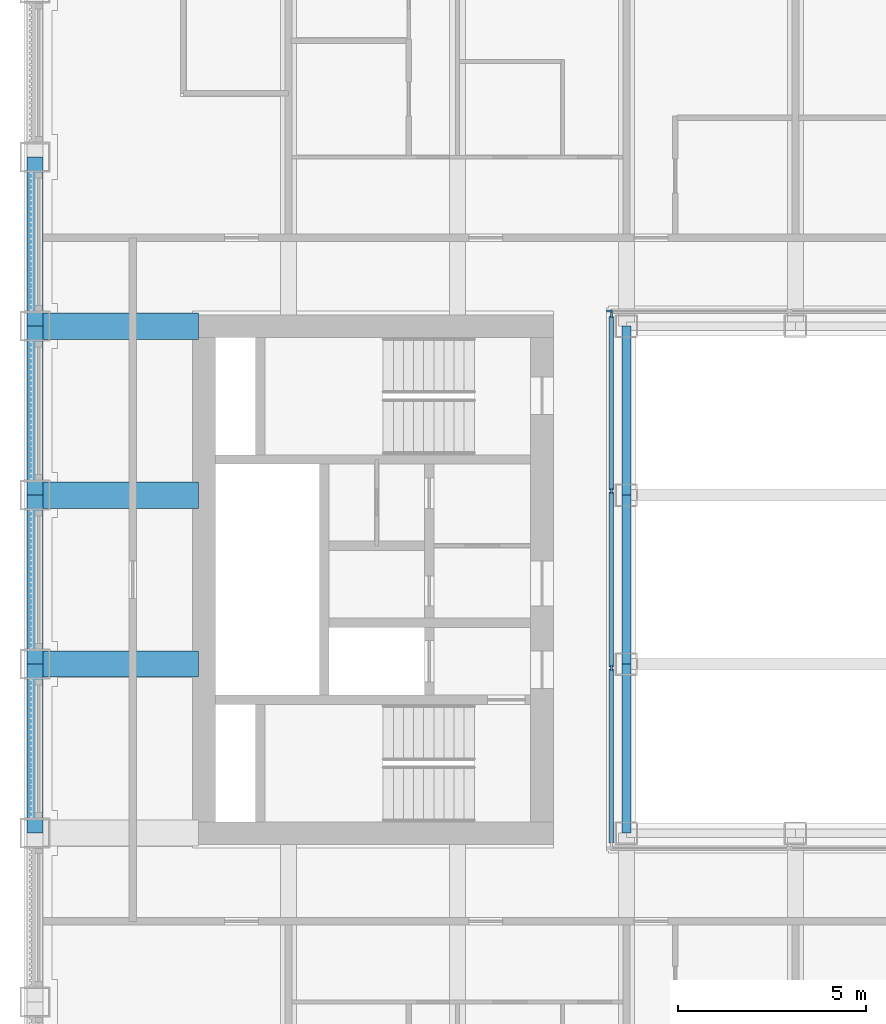
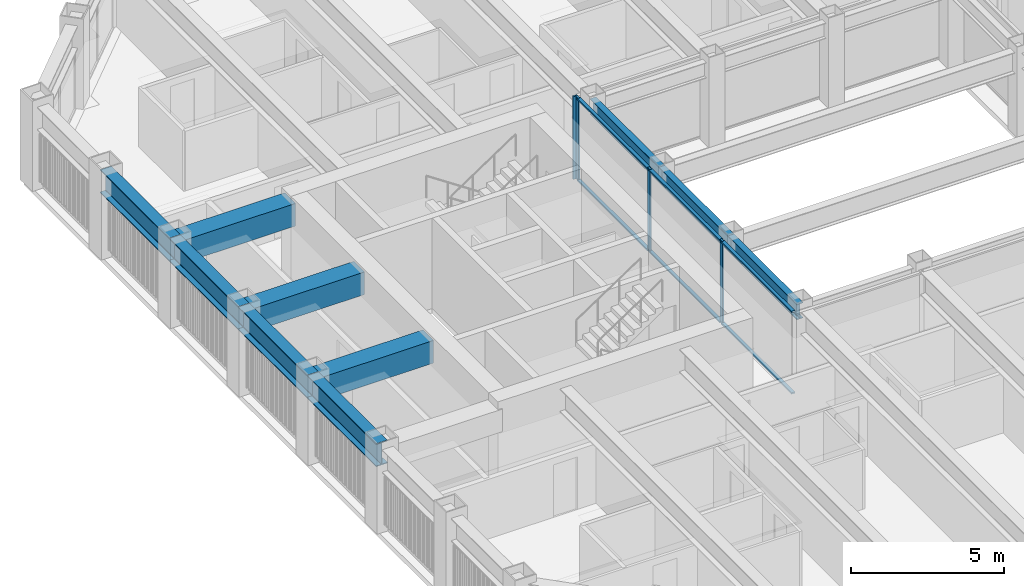
# One storey, part 4 of 18: 10 beams, 10 members, 2 elements without a shape of their own.
"""IFC4 building model written with IfcOpenShell, lengths in metres."""

from ifc_helpers import new_model, si_unit, direction, frame, origin, origin_2d, place, context, subcontext, project, spatial, rectangle, hollow_rectangle, i_section, extrude, material, material_profile, profile_set, type_object, element, aggregate, save


model = new_model("IFC4")

# Units and contexts
model_context = context("Model", 3, precision=1e-05, world=origin(), true_north=direction((0.0, 1.0)))
body_context = subcontext(model_context, "Body", "Model", "MODEL_VIEW")
ifc_project = project(units=[si_unit("LENGTHUNIT", "METRE"), si_unit("AREAUNIT", "SQUARE_METRE"), si_unit("VOLUMEUNIT", "CUBIC_METRE"), si_unit("PLANEANGLEUNIT", "RADIAN"), si_unit("MASSUNIT", "GRAM", prefix="KILO")], contexts=[model_context])

# Site, building, storey
site_placement = place(None, origin())
site = spatial("IfcSite", under=ifc_project, at=site_placement, CompositionType="ELEMENT")
building_placement = place(site_placement, origin())
building = spatial("IfcBuilding", under=site, at=building_placement, Name="Msasa Ring Tower", CompositionType="ELEMENT")
storey_placement = place(building_placement, frame((0.0, 0.0, 186.800048828125)))
storey = spatial("IfcBuildingStorey", under=building, at=storey_placement, Name="L49", CompositionType="ELEMENT", Elevation=186.800048828125)

# Curtain wall, member
ifc_material_1 = material(Name="Aluminium curtain wall with clear glass", Category="aluminium")
curtain_wall_type = type_object("IfcCurtainWallType", Name="CW-W LIGHT WELL CURTAIN WALL", PredefinedType="NOTDEFINED", material=ifc_material_1)
curtain_wall_1_placement = place(storey_placement, origin())
curtain_wall_1 = element("IfcCurtainWall", 1, at=curtain_wall_1_placement, inside=storey, type_object=curtain_wall_type, Name="Light well curtain wall N L49", PredefinedType="NOTDEFINED")
ifc_material_2 = material(Name="Aluminium mullion", Category="aluminium")
ifc_material_profile_1 = material_profile(ifc_material_2, rectangle(XDim=0.06005859375, YDim=0.159912109375, at=origin_2d()), Name="AL 60x160")
ifc_profile_set_1 = profile_set([ifc_material_profile_1], Name="Aluminium mullion")
member_type_1 = type_object("IfcMemberType", Name="CW-W MULLION 60x160", PredefinedType="MULLION", material=ifc_profile_set_1)
member_1_placement = place(storey_placement, frame((-7.199951171875, 7.14990234375, 0.0), z_axis=(0.0, 0.0, 1.0), x_axis=(0.0, 1.0, 0.0)))
member_1 = element("IfcMember", 2, at=member_1_placement, type_object=member_type_1, Name="CW-W mullion 1", PredefinedType="MULLION", context=body_context, shape_type="SweptSolid", body=[
    extrude(rectangle(XDim=0.06005859375, YDim=0.159912109375, at=origin_2d()), origin(), (0.0, 0.0, 1.0), 3.300048828125),
])
aggregate(curtain_wall_1, [member_1])

# Curtain wall, members
curtain_wall_2_placement = place(storey_placement, origin())
curtain_wall_2 = element("IfcCurtainWall", 3, at=curtain_wall_2_placement, inside=storey, type_object=curtain_wall_type, Name="Light well curtain wall W L49", PredefinedType="NOTDEFINED")
member_2_placement = place(storey_placement, frame((-7.14990234375, -2.356689453125, 0.0), z_axis=(0.0, 0.0, 1.0), x_axis=(-1.0, 0.0, 0.0)))
member_2 = element("IfcMember", 4, at=member_2_placement, type_object=member_type_1, Name="CW-W mullion 2", PredefinedType="MULLION", context=body_context, shape_type="SweptSolid", body=[
    extrude(rectangle(XDim=0.06005859375, YDim=0.159912109375, at=origin_2d()), origin(), (0.0, 0.0, 1.0), 3.300048828125),
])
member_3_placement = place(storey_placement, frame((-7.14990234375, 2.356689453125, 0.0), z_axis=(0.0, 0.0, 1.0), x_axis=(-1.0, 0.0, 0.0)))
member_3 = element("IfcMember", 5, at=member_3_placement, type_object=member_type_1, Name="CW-W mullion 3", PredefinedType="MULLION", context=body_context, shape_type="SweptSolid", body=[
    extrude(rectangle(XDim=0.06005859375, YDim=0.159912109375, at=origin_2d()), origin(), (0.0, 0.0, 1.0), 3.300048828125),
])
member_4_placement = place(storey_placement, frame((-7.14990234375, 7.0400390625, 0.0), z_axis=(0.0, 0.0, 1.0), x_axis=(-1.0, 0.0, 0.0)))
member_4 = element("IfcMember", 6, at=member_4_placement, type_object=member_type_1, Name="CW-W mullion 4", PredefinedType="MULLION", context=body_context, shape_type="SweptSolid", body=[
    extrude(rectangle(XDim=0.06005859375, YDim=0.159912109375, at=origin_2d()), origin(), (0.0, 0.0, 1.0), 3.300048828125),
])
ifc_material_3 = material(Name="Aluminium transom", Category="aluminium")
ifc_material_profile_2 = material_profile(ifc_material_3, rectangle(XDim=0.1201171875, YDim=0.06005859375, at=origin_2d()), Name="AL 60x120")
ifc_profile_set_2 = profile_set([ifc_material_profile_2], Name="Aluminium transom")
member_type_2 = type_object("IfcMemberType", Name="CW-W TRANSOM 60x120", PredefinedType="USERDEFINED", material=ifc_profile_set_2)
member_5_placement = place(storey_placement, frame((-7.14990234375, -7.010009765625, 0.030029296875), z_axis=(0.0, 1.0, 0.0), x_axis=(-1.0, 0.0, 0.0)))
member_5 = element("IfcMember", 7, at=member_5_placement, type_object=member_type_2, Name="CW-W transom 1.1", ObjectType="TRANSOM", PredefinedType="USERDEFINED", context=body_context, shape_type="SweptSolid", body=[
    extrude(rectangle(XDim=0.1201171875, YDim=0.06005859375, at=origin_2d()), origin(), (0.0, 0.0, 1.0), 4.623291015625),
])
member_6_placement = place(storey_placement, frame((-7.14990234375, -7.010009765625, 3.27001953125), z_axis=(0.0, 1.0, 0.0), x_axis=(-1.0, 0.0, 0.0)))
member_6 = element("IfcMember", 8, at=member_6_placement, type_object=member_type_2, Name="CW-W transom 1.2", ObjectType="TRANSOM", PredefinedType="USERDEFINED", context=body_context, shape_type="SweptSolid", body=[
    extrude(rectangle(XDim=0.1201171875, YDim=0.06005859375, at=origin_2d()), origin(), (0.0, 0.0, 1.0), 4.623291015625),
])
member_7_placement = place(storey_placement, frame((-7.14990234375, -2.32666015625, 0.030029296875), z_axis=(0.0, 1.0, 0.0), x_axis=(-1.0, 0.0, 0.0)))
member_7 = element("IfcMember", 9, at=member_7_placement, type_object=member_type_2, Name="CW-W transom 2.1", ObjectType="TRANSOM", PredefinedType="USERDEFINED", context=body_context, shape_type="SweptSolid", body=[
    extrude(rectangle(XDim=0.1201171875, YDim=0.06005859375, at=origin_2d()), origin(), (0.0, 0.0, 1.0), 4.6533203125),
])
member_8_placement = place(storey_placement, frame((-7.14990234375, -2.32666015625, 3.27001953125), z_axis=(0.0, 1.0, 0.0), x_axis=(-1.0, 0.0, 0.0)))
member_8 = element("IfcMember", 10, at=member_8_placement, type_object=member_type_2, Name="CW-W transom 2.2", ObjectType="TRANSOM", PredefinedType="USERDEFINED", context=body_context, shape_type="SweptSolid", body=[
    extrude(rectangle(XDim=0.1201171875, YDim=0.06005859375, at=origin_2d()), origin(), (0.0, 0.0, 1.0), 4.6533203125),
])
member_9_placement = place(storey_placement, frame((-7.14990234375, 2.38671875, 0.030029296875), z_axis=(0.0, 1.0, 0.0), x_axis=(-1.0, 0.0, 0.0)))
member_9 = element("IfcMember", 11, at=member_9_placement, type_object=member_type_2, Name="CW-W transom 3.1", ObjectType="TRANSOM", PredefinedType="USERDEFINED", context=body_context, shape_type="SweptSolid", body=[
    extrude(rectangle(XDim=0.1201171875, YDim=0.06005859375, at=origin_2d()), origin(), (0.0, 0.0, 1.0), 4.623291015625),
])
member_10_placement = place(storey_placement, frame((-7.14990234375, 2.38671875, 3.27001953125), z_axis=(0.0, 1.0, 0.0), x_axis=(-1.0, 0.0, 0.0)))
member_10 = element("IfcMember", 12, at=member_10_placement, type_object=member_type_2, Name="CW-W transom 3.2", ObjectType="TRANSOM", PredefinedType="USERDEFINED", context=body_context, shape_type="SweptSolid", body=[
    extrude(rectangle(XDim=0.1201171875, YDim=0.06005859375, at=origin_2d()), origin(), (0.0, 0.0, 1.0), 4.623291015625),
])
aggregate(curtain_wall_2, [member_2, member_3, member_4, member_5, member_6, member_7, member_8, member_9, member_10])

# Beams
ifc_material_4 = material(Name="Steel S355", Category="steel")
ifc_material_profile_3 = material_profile(ifc_material_4, hollow_rectangle(XDim=0.699951171875, YDim=0.89990234375, WallThickness=0.080078125, at=origin_2d()), Name="BOX 900x700x80")
ifc_profile_set_3 = profile_set([ifc_material_profile_3], Name="Steel S355")
beam_type_1 = type_object("IfcBeamType", Name="FB4 BOX 900x700x80", PredefinedType="BEAM", material=ifc_profile_set_3)
for number, where, z_axis, x_axis, name in (
    (13, (-22.5, -2.25, 2.849853515625), (1.0, 0.0, 0.0), (0.0, 1.0, 0.0), "Floor beam W -2.25 under L50"),
    (14, (-22.5, 2.25, 2.849853515625), (1.0, 0.0, 0.0), (0.0, 1.0, 0.0), "Floor beam W +2.25 under L50"),
):
    element("IfcBeam", number, at=place(storey_placement, frame(where, z_axis=z_axis, x_axis=x_axis)), inside=storey, type_object=beam_type_1, Name=name, PredefinedType="BEAM", context=body_context, shape_type="SweptSolid", body=[
        extrude(hollow_rectangle(XDim=0.699951171875, YDim=0.89990234375, WallThickness=0.080078125, at=origin_2d()), origin(), (0.0, 0.0, 1.0), 4.35009765625),
    ])
ifc_material_5 = material(Name="Steel S355", Category="steel")
ifc_material_profile_4 = material_profile(ifc_material_5, hollow_rectangle(XDim=0.699951171875, YDim=0.89990234375, WallThickness=0.080078125, at=origin_2d()), Name="BOX 900x700x80")
ifc_profile_set_4 = profile_set([ifc_material_profile_4], Name="Steel S355")
beam_type_2 = type_object("IfcBeamType", Name="GB2 BOX 900x700x80", PredefinedType="BEAM", material=ifc_profile_set_4)
beam_placement = place(storey_placement, frame((-18.14990234375, 6.75, 2.849853515625), z_axis=(-1.0, 0.0, 0.0), x_axis=(0.0, -1.0, 0.0)))
element("IfcBeam", 15, at=beam_placement, inside=storey, type_object=beam_type_2, Name="Girder W +6.75 under L50", PredefinedType="BEAM", context=body_context, shape_type="SweptSolid", body=[
    extrude(hollow_rectangle(XDim=0.699951171875, YDim=0.89990234375, WallThickness=0.080078125, at=origin_2d()), origin(), (0.0, 0.0, 1.0), 4.35009765625),
])
ifc_material_6 = material(Name="Steel S355", Category="steel")
ifc_material_profile_5 = material_profile(ifc_material_6, i_section(OverallWidth=0.230224609375, OverallDepth=0.6171875, WebThickness=0.01318359375, FlangeThickness=0.022216796875, FilletRadius=0.0126953125, at=origin_2d()), Name="UB 610x229x140")
ifc_profile_set_5 = profile_set([ifc_material_profile_5], Name="Steel S355")
beam_type_3 = type_object("IfcBeamType", Name="RB1 UB 610x229x140", PredefinedType="BEAM", material=ifc_profile_set_5)
for number, where, z_axis, x_axis, name in (
    (16, (-6.75, -2.25, 2.991455078125), (0.0, -1.0, 0.0), (1.0, 0.0, 0.0), "Inner ring beam IR-6.75-2.25 under L50"),
    (17, (-6.75, 6.75, 2.991455078125), (0.0, -1.0, 0.0), (1.0, 0.0, 0.0), "Inner ring beam IR-6.75+6.75 under L50"),
    (18, (-6.75, 2.25, 2.991455078125), (0.0, -1.0, 0.0), (1.0, 0.0, 0.0), "Inner ring beam IR-6.75+2.25 under L50"),
):
    element("IfcBeam", number, at=place(storey_placement, frame(where, z_axis=z_axis, x_axis=x_axis)), inside=storey, type_object=beam_type_3, Name=name, PredefinedType="BEAM", context=body_context, shape_type="SweptSolid", body=[
        extrude(i_section(OverallWidth=0.230224609375, OverallDepth=0.6171875, WebThickness=0.01318359375, FlangeThickness=0.022216796875, FilletRadius=0.0126953125, at=origin_2d()), origin(), (0.0, 0.0, 1.0), 4.5),
    ])
ifc_material_7 = material(Name="Steel S355", Category="steel")
ifc_material_profile_6 = material_profile(ifc_material_7, i_section(OverallWidth=0.42041015625, OverallDepth=0.9208984375, WebThickness=0.021484375, FlangeThickness=0.03662109375, FilletRadius=0.024169921875, at=origin_2d()), Name="UB 914x419x388")
ifc_profile_set_6 = profile_set([ifc_material_profile_6], Name="Steel S355")
beam_type_4 = type_object("IfcBeamType", Name="SB1 UB 914x419x388", PredefinedType="SPANDREL", material=ifc_profile_set_6)
for number, where, z_axis, x_axis, name in (
    (19, (-22.5, -2.25, 2.83935546875), (0.0, -1.0, 0.0), (1.0, 0.0, 0.0), "Spandrel W-2.25 to W-6.75 under L50"),
    (20, (-22.5, 11.25, 2.83935546875), (0.0, -1.0, 0.0), (1.0, 0.0, 0.0), "Spandrel W+11.25 to W+6.75 under L50"),
    (21, (-22.5, 6.75, 2.83935546875), (0.0, -1.0, 0.0), (1.0, 0.0, 0.0), "Spandrel W+6.75 to W+2.25 under L50"),
    (22, (-22.5, 2.25, 2.83935546875), (0.0, -1.0, 0.0), (1.0, 0.0, 0.0), "Spandrel W+2.25 to W-2.25 under L50"),
):
    element("IfcBeam", number, at=place(storey_placement, frame(where, z_axis=z_axis, x_axis=x_axis)), inside=storey, type_object=beam_type_4, Name=name, PredefinedType="SPANDREL", context=body_context, shape_type="SweptSolid", body=[
        extrude(i_section(OverallWidth=0.42041015625, OverallDepth=0.9208984375, WebThickness=0.021484375, FlangeThickness=0.03662109375, FilletRadius=0.024169921875, at=origin_2d()), origin(), (0.0, 0.0, 1.0), 4.5),
    ])

save(model, "model.ifc")
